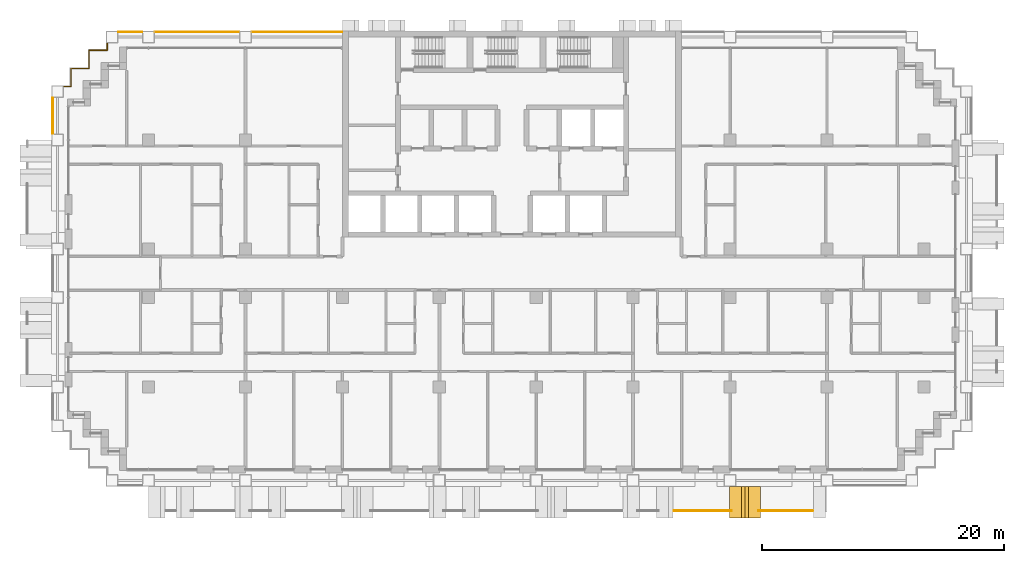
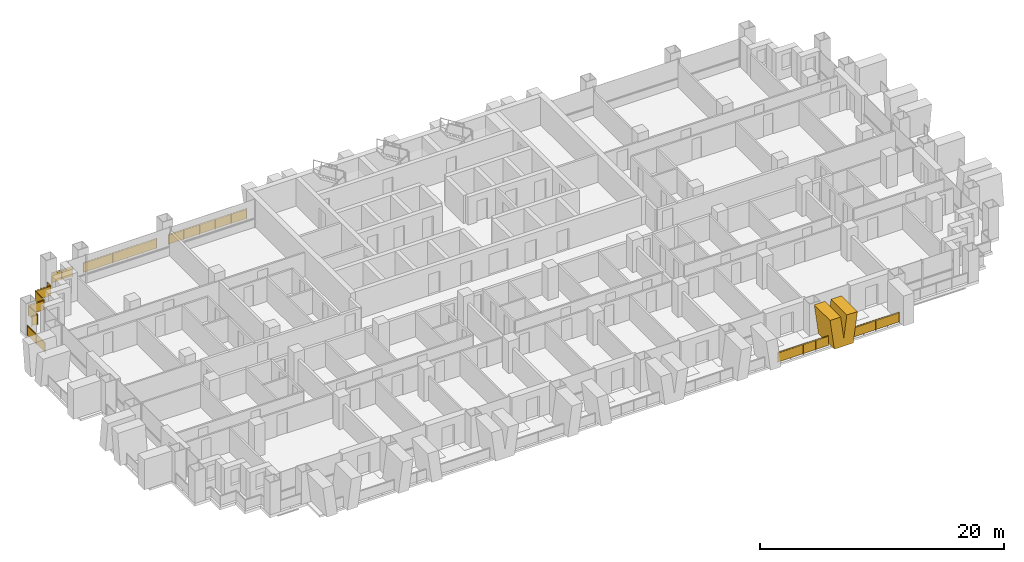
# One storey, part 17 of 19: 7 railings, 1 shading device.
"""IFC4 building model written with IfcOpenShell, lengths in metres."""

import ifcopenshell
import ifcopenshell.guid

model = None  # the IFC model being written
_history = None  # IfcOwnerHistory: only IFC2X3 demands one
_inside = {}  # id of a spatial element -> (the spatial element, [elements in it])
_under = {}  # id of a project, library or spatial element -> (it, [spatial elements below it])
_declared = {}  # id of a project -> (the project, [libraries it declares])
_typed = {}  # id of a type object -> (the type object, [elements of that type])
_made_of = {}  # id of a material, layer set ... -> (it, [elements and type objects made of it])


def new_model(schema):
    """Start an empty IFC model of exactly this schema.

    Asked for "IFC4X3", IfcOpenShell would pick the latest addendum, in which some entities
    have other attributes; the version numbers below select the first issue.
    IFC2X3 requires an IfcOwnerHistory on every rooted entity: one is made here for all.
    """
    global model, _history
    if schema == "IFC4X3":
        model = ifcopenshell.file(schema_version=(4, 3, 0, 0))
    else:
        model = ifcopenshell.file(schema=schema)
    _inside.clear()
    _under.clear()
    _declared.clear()
    _typed.clear()
    _made_of.clear()
    _history = None
    if model.schema == "IFC2X3":
        org = make("IfcOrganization", Name="unknown")
        user = make(
            "IfcPersonAndOrganization",
            ThePerson=make("IfcPerson", FamilyName="unknown"),
            TheOrganization=org,
        )
        app = make(
            "IfcApplication",
            ApplicationDeveloper=org,
            Version="unknown",
            ApplicationFullName="unknown",
            ApplicationIdentifier="unknown",
        )
        _history = make(
            "IfcOwnerHistory",
            OwningUser=user,
            OwningApplication=app,
            ChangeAction="ADDED",
            CreationDate=0,
        )
    return model


def make(cls, **values):
    """One entity of the class cls with the attributes given. An attribute that is None is left unset."""
    return model.create_entity(
        cls, **{name: value for name, value in values.items() if value is not None}
    )


def rooted(cls, **values):
    """An entity with a GlobalId (a new one), such as an element, a storey or a relation."""
    return make(cls, GlobalId=ifcopenshell.guid.new(), OwnerHistory=_history, **values)


def si_unit(unit_type, name, prefix=None):
    """IfcSIUnit, for example si_unit("LENGTHUNIT", "METRE", prefix="MILLI")."""
    return make("IfcSIUnit", UnitType=unit_type, Prefix=prefix, Name=name)


def assignment(units):
    """IfcUnitAssignment: the units of a project."""
    return None if units is None else make("IfcUnitAssignment", Units=units)


def point(xyz):
    """IfcCartesianPoint."""
    return None if xyz is None else make("IfcCartesianPoint", Coordinates=xyz)


def direction(xyz):
    """IfcDirection."""
    return None if xyz is None else make("IfcDirection", DirectionRatios=xyz)


def frame(location, z_axis=None, x_axis=None):
    """IfcAxis2Placement3D, a coordinate frame: its origin and axes. An axis left out is left unset."""
    return make(
        "IfcAxis2Placement3D",
        Location=point(location),
        Axis=direction(z_axis),
        RefDirection=direction(x_axis),
    )


def frame_2d(location, x_axis=None):
    """IfcAxis2Placement2D, a coordinate frame in the plane: its origin and x axis."""
    return make(
        "IfcAxis2Placement2D", Location=point(location), RefDirection=direction(x_axis)
    )


def origin():
    """The frame at (0, 0, 0) with its axes left unset."""
    return frame((0.0, 0.0, 0.0))


def origin_2d():
    """The frame at (0, 0) in the plane with its x axis left unset."""
    return frame_2d((0.0, 0.0))


def place(relative_to, where):
    """IfcLocalPlacement: puts the frame where relative to a parent placement (None: the world)."""
    return make(
        "IfcLocalPlacement", PlacementRelTo=relative_to, RelativePlacement=where
    )


def context(
    kind, dimensions, precision=None, world=None, true_north=None, identifier=None
):
    """IfcGeometricRepresentationContext, for example the 3D "Model" context."""
    return make(
        "IfcGeometricRepresentationContext",
        ContextIdentifier=identifier,
        ContextType=kind,
        CoordinateSpaceDimension=dimensions,
        Precision=precision,
        WorldCoordinateSystem=world,
        TrueNorth=true_north,
    )


def subcontext(parent, identifier, kind, view, scale=None):
    """IfcGeometricRepresentationSubContext, for example "Body" below "Model"."""
    return make(
        "IfcGeometricRepresentationSubContext",
        ContextIdentifier=identifier,
        ContextType=kind,
        ParentContext=parent,
        TargetScale=scale,
        TargetView=view,
    )


def project(units=None, contexts=None):
    """IfcProject with its units and contexts."""
    return rooted(
        "IfcProject",
        Name="project",
        RepresentationContexts=contexts,
        UnitsInContext=assignment(units),
    )


def spatial(cls, under=None, at=None, **own):
    """A site, building, storey or space (cls), placed at a placement, below another one or the project."""
    s = rooted(cls, ObjectPlacement=at, **own)
    if under is not None:
        _under.setdefault(under.id(), (under, []))[1].append(s)
    return s


def polyline(points):
    """IfcPolyline through the points."""
    return make("IfcPolyline", Points=[point(p) for p in points])


def profile(cls, at=None, kind="AREA", **sizes):
    """A parametric profile (cls). Its sizes go by their IFC names, for example OverallWidth=200.0."""
    return make(cls, ProfileType=kind, Position=at, **sizes)


def rectangle(**sizes):
    """IfcRectangleProfileDef."""
    return profile("IfcRectangleProfileDef", **sizes)


def circle(**sizes):
    """IfcCircleProfileDef."""
    return profile("IfcCircleProfileDef", **sizes)


def outline(outer, holes=None, kind="AREA"):
    """IfcArbitraryClosedProfileDef: a profile drawn as a closed curve; with holes, ...WithVoids."""
    if holes is None:
        return make("IfcArbitraryClosedProfileDef", ProfileType=kind, OuterCurve=outer)
    return make(
        "IfcArbitraryProfileDefWithVoids",
        ProfileType=kind,
        OuterCurve=outer,
        InnerCurves=holes,
    )


def extrude(swept, where, along, depth):
    """IfcExtrudedAreaSolid: the profile swept, set in the frame where, extruded along a direction by depth."""
    return make(
        "IfcExtrudedAreaSolid",
        SweptArea=swept,
        Position=where,
        ExtrudedDirection=direction(along),
        Depth=depth,
    )


def shape(context_of_items, identifier, shape_type, items):
    """IfcShapeRepresentation: the items that make up one representation, for example the "Body"."""
    return make(
        "IfcShapeRepresentation",
        ContextOfItems=context_of_items,
        RepresentationIdentifier=identifier,
        RepresentationType=shape_type,
        Items=items,
    )


def material(Name=None, Category=None):
    """IfcMaterial."""
    return make("IfcMaterial", Name=Name, Category=Category)


def layer(
    of_material, thickness, ventilated=None, Name=None, Category=None, Priority=None
):
    """IfcMaterialLayer: one layer of a wall or slab, of a material (None: an air gap)."""
    return make(
        "IfcMaterialLayer",
        Material=of_material,
        LayerThickness=thickness,
        IsVentilated=ventilated,
        Name=Name,
        Category=Category,
        Priority=Priority,
    )


def layer_set(layers, Name=None):
    """IfcMaterialLayerSet."""
    return make("IfcMaterialLayerSet", MaterialLayers=layers, LayerSetName=Name)


def made_of(thing, what):
    """Note that an element or type object is made of a material, layer set ...; save() writes the relation."""
    if what is not None:
        _made_of.setdefault(what.id(), (what, []))[1].append(thing)
    return thing


def type_object(cls, material=None, **own):
    """A type object (cls), such as IfcWallType, which elements share."""
    return made_of(rooted(cls, **own), material)


def element(
    cls,
    number,
    at=None,
    inside=None,
    cuts=None,
    type_object=None,
    material=None,
    context=None,
    identifier="Body",
    shape_type=None,
    held_by="IfcProductDefinitionShape",
    body=None,
    shapes=None,
    **own,
):
    """One element of the class cls, such as IfcWall. Its Tag is "e" and its number.

    at: its placement. inside: the storey or other place that contains it. cuts: it is an
    opening in that element (IfcRelVoidsElement). A single representation is given by context,
    identifier, shape_type and body (its items); several are given by shapes. held_by: the class
    of the entity that holds the representations. save() writes the other relations.
    """
    e = rooted(cls, Tag="e%d" % number, ObjectPlacement=at, **own)
    if body is not None:
        shapes = [shape(context, identifier, shape_type, body)]
    if shapes is not None:
        e.Representation = make(held_by, Representations=shapes)
    if inside is not None:
        _inside.setdefault(inside.id(), (inside, []))[1].append(e)
    if cuts is not None:
        rooted(
            "IfcRelVoidsElement", RelatingBuildingElement=cuts, RelatedOpeningElement=e
        )
    if type_object is not None:
        _typed.setdefault(type_object.id(), (type_object, []))[1].append(e)
    return made_of(e, material)


def aggregate(whole, parts):
    """IfcRelAggregates: a whole, such as a stair, and the parts it consists of."""
    return rooted("IfcRelAggregates", RelatingObject=whole, RelatedObjects=parts)


def save(model, path):
    """Write the relations noted so far, then the file.

    IfcRelAggregates (storeys below a building ...), IfcRelContainedInSpatialStructure (elements
    in a storey), IfcRelDefinesByType, IfcRelAssociatesMaterial and IfcRelDeclares: one each for
    every whole, place, type object, material and project.
    """
    for whole, parts in _under.values():
        aggregate(whole, parts)
    for where, things in _inside.values():
        rooted(
            "IfcRelContainedInSpatialStructure",
            RelatedElements=things,
            RelatingStructure=where,
        )
    for kind, things in _typed.values():
        rooted("IfcRelDefinesByType", RelatedObjects=things, RelatingType=kind)
    for what, things in _made_of.values():
        rooted("IfcRelAssociatesMaterial", RelatedObjects=things, RelatingMaterial=what)
    for by, libraries in _declared.values():
        rooted("IfcRelDeclares", RelatingContext=by, RelatedDefinitions=libraries)
    model.write(path)


model = new_model("IFC4")

# Units and contexts
model_context = context("Model", 3, precision=1e-05, world=origin(), true_north=direction((0.0, 1.0)))
body_context = subcontext(model_context, "Body", "Model", "MODEL_VIEW")
ifc_project = project(units=[si_unit("LENGTHUNIT", "METRE"), si_unit("AREAUNIT", "SQUARE_METRE"), si_unit("VOLUMEUNIT", "CUBIC_METRE"), si_unit("PLANEANGLEUNIT", "RADIAN"), si_unit("MASSUNIT", "GRAM", prefix="KILO")], contexts=[model_context])

# Site, building, storey
site_placement = place(None, origin())
site = spatial("IfcSite", under=ifc_project, at=site_placement, CompositionType="ELEMENT")
building_placement = place(site_placement, origin())
building = spatial("IfcBuilding", under=site, at=building_placement, Name="Vidyagriha Tower", CompositionType="ELEMENT")
storey_placement = place(building_placement, frame((0.0, 0.0, 60.800048828125)))
storey = spatial("IfcBuildingStorey", under=building, at=storey_placement, Name="L16", CompositionType="ELEMENT", Elevation=60.800048828125)

# Railings
ifc_material_1 = material(Name="Steel ASTM A500 Grade C black painted", Category="steel")
railing_type_1 = type_object("IfcRailingType", Name="Balcony guard 1100", PredefinedType="BALUSTRADE", material=ifc_material_1)
railing_1_placement = place(storey_placement, frame((13.35498046875, -19.60009765625, 0.0)))
element("IfcRailing", 1, at=railing_1_placement, inside=storey, type_object=railing_type_1, Name="Balcony guard L16 R23.1-10", PredefinedType="BALUSTRADE", context=body_context, shape_type="SweptSolid", body=[
    extrude(circle(Radius=0.02490234375, at=origin_2d()), frame((0.0, 0.0, 1.0751953125), z_axis=(1.0, 0.0, 0.0), x_axis=(0.0, 1.0, 0.0)), (0.0, 0.0, 1.0), 4.773681640625),
    extrude(circle(Radius=0.02001953125, at=origin_2d()), origin(), (0.0, 0.0, 1.0), 1.050048828125),
    extrude(circle(Radius=0.02001953125, at=origin_2d()), frame((1.193359375, 0.0, 0.0)), (0.0, 0.0, 1.0), 1.050048828125),
    extrude(circle(Radius=0.02001953125, at=origin_2d()), frame((2.38671875, 0.0, 0.0)), (0.0, 0.0, 1.0), 1.050048828125),
    extrude(circle(Radius=0.02001953125, at=origin_2d()), frame((3.580322265625, 0.0, 0.0)), (0.0, 0.0, 1.0), 1.050048828125),
    extrude(circle(Radius=0.02001953125, at=origin_2d()), frame((4.773681640625, 0.0, 0.0)), (0.0, 0.0, 1.0), 1.050048828125),
    extrude(rectangle(XDim=0.010009765625, YDim=0.900146484375, at=origin_2d()), frame((0.0, 0.0, 0.550048828125), z_axis=(1.0, 0.0, 0.0), x_axis=(0.0, 1.0, 0.0)), (0.0, 0.0, 1.0), 4.773681640625),
])
railing_2_placement = place(storey_placement, frame((20.321533203125, -19.60009765625, 0.0)))
element("IfcRailing", 2, at=railing_2_placement, inside=storey, type_object=railing_type_1, Name="Balcony guard L16 R23.1-11", PredefinedType="BALUSTRADE", context=body_context, shape_type="SweptSolid", body=[
    extrude(circle(Radius=0.02490234375, at=origin_2d()), frame((0.0, 0.0, 1.0751953125), z_axis=(1.0, 0.0, 0.0), x_axis=(0.0, 1.0, 0.0)), (0.0, 0.0, 1.0), 4.50341796875),
    extrude(circle(Radius=0.02001953125, at=origin_2d()), origin(), (0.0, 0.0, 1.0), 1.050048828125),
    extrude(circle(Radius=0.02001953125, at=origin_2d()), frame((1.1259765625, 0.0, 0.0)), (0.0, 0.0, 1.0), 1.050048828125),
    extrude(circle(Radius=0.02001953125, at=origin_2d()), frame((2.251708984375, 0.0, 0.0)), (0.0, 0.0, 1.0), 1.050048828125),
    extrude(circle(Radius=0.02001953125, at=origin_2d()), frame((3.37744140625, 0.0, 0.0)), (0.0, 0.0, 1.0), 1.050048828125),
    extrude(circle(Radius=0.02001953125, at=origin_2d()), frame((4.50341796875, 0.0, 0.0)), (0.0, 0.0, 1.0), 1.050048828125),
    extrude(rectangle(XDim=0.010009765625, YDim=0.900146484375, at=origin_2d()), frame((0.0, 0.0, 0.550048828125), z_axis=(1.0, 0.0, 0.0), x_axis=(0.0, 1.0, 0.0)), (0.0, 0.0, 1.0), 4.50341796875),
])

# Shading device
ifc_material_2 = material(Name="Precast concrete C40/50 with buff brick facing", Category="concrete")
ifc_layer = layer(ifc_material_2, 1.0)
ifc_layer_set = layer_set([ifc_layer], Name="Precast concrete C40/50 with buff brick facing")
shading_device_type = type_object("IfcShadingDeviceType", Name="Brick-faced blade fin forking 8 degrees", PredefinedType="USERDEFINED", material=ifc_layer_set)
shading_device_placement = place(storey_placement, frame((17.93505859375, -18.89990234375, 0.0)))
element("IfcShadingDevice", 3, at=shading_device_placement, inside=storey, type_object=shading_device_type, Name="Forked blade fin L16 R23.4980a", ObjectType="BLADE FIN", PredefinedType="USERDEFINED", context=body_context, shape_type="SweptSolid", body=[
    extrude(outline(polyline([(0.39501953125, 0.0), (2.18505859375, 0.0), (2.580078125, 3.0), (1.580078125, 3.0), (1.2900390625, 0.79736328125), (1.0, 3.0), (0.0, 3.0), (0.39501953125, 0.0)])), frame((0.0, 1.300048828125, 0.0), z_axis=(0.0, -1.0, 0.0), x_axis=(1.0, 0.0, 0.0)), (0.0, 0.0, 1.0), 2.60009765625),
])

# Railings
ifc_material_3 = material(Name="Steel ASTM A500 Grade C black painted", Category="steel")
railing_type_2 = type_object("IfcRailingType", Name="Gallery guard 1100", PredefinedType="GUARDRAIL", material=ifc_material_3)
railing_3_placement = place(storey_placement, frame((-37.89990234375, 11.530029296875, 0.0)))
element("IfcRailing", 4, at=railing_3_placement, inside=storey, type_object=railing_type_2, Name="Gallery guard L16 3", PredefinedType="GUARDRAIL", context=body_context, shape_type="SweptSolid", body=[
    extrude(circle(Radius=0.02490234375, at=origin_2d()), frame((0.0, 0.0, 1.0751953125), z_axis=(0.0, 1.0, 0.0), x_axis=(-1.0, 0.0, 0.0)), (0.0, 0.0, 1.0), 2.93994140625),
    extrude(circle(Radius=0.02001953125, at=origin_2d()), origin(), (0.0, 0.0, 1.0), 1.050048828125),
    extrude(circle(Radius=0.02001953125, at=origin_2d()), frame((0.0, 1.469970703125, 0.0)), (0.0, 0.0, 1.0), 1.050048828125),
    extrude(circle(Radius=0.02001953125, at=origin_2d()), frame((0.0, 2.93994140625, 0.0)), (0.0, 0.0, 1.0), 1.050048828125),
    extrude(rectangle(XDim=0.010009765625, YDim=0.900146484375, at=origin_2d()), frame((0.0, 0.0, 0.550048828125), z_axis=(0.0, 1.0, 0.0), x_axis=(-1.0, 0.0, 0.0)), (0.0, 0.0, 1.0), 2.93994140625),
])
railing_4_placement = place(storey_placement, frame((-36.969970703125, 15.39990234375, 0.0)))
element("IfcRailing", 5, at=railing_4_placement, inside=storey, type_object=railing_type_2, Name="Gallery guard L16 5", PredefinedType="GUARDRAIL", context=body_context, shape_type="SweptSolid", body=[
    extrude(circle(Radius=0.02490234375, at=origin_2d()), frame((0.0, 0.0, 1.0751953125), z_axis=(1.0, 0.0, 0.0), x_axis=(0.0, 1.0, 0.0)), (0.0, 0.0, 1.0), 0.570068359375),
    extrude(circle(Radius=0.02490234375, at=origin_2d()), frame((0.570068359375, 0.0, 1.0751953125), z_axis=(0.0, 1.0, 0.0), x_axis=(-1.0, 0.0, 0.0)), (0.0, 0.0, 1.0), 1.5),
    extrude(circle(Radius=0.02490234375, at=origin_2d()), frame((0.570068359375, 1.5, 1.0751953125), z_axis=(1.0, 0.0, 0.0), x_axis=(0.0, 1.0, 0.0)), (0.0, 0.0, 1.0), 1.5),
    extrude(circle(Radius=0.02490234375, at=origin_2d()), frame((2.070068359375, 1.5, 1.0751953125), z_axis=(0.0, 1.0, 0.0), x_axis=(-1.0, 0.0, 0.0)), (0.0, 0.0, 1.0), 1.5),
    extrude(circle(Radius=0.02490234375, at=origin_2d()), frame((2.070068359375, 3.0, 1.0751953125), z_axis=(1.0, 0.0, 0.0), x_axis=(0.0, 1.0, 0.0)), (0.0, 0.0, 1.0), 1.5),
    extrude(circle(Radius=0.02490234375, at=origin_2d()), frame((3.570068359375, 3.0, 1.0751953125), z_axis=(0.0, 1.0, 0.0), x_axis=(-1.0, 0.0, 0.0)), (0.0, 0.0, 1.0), 0.570068359375),
    extrude(circle(Radius=0.02001953125, at=origin_2d()), origin(), (0.0, 0.0, 1.0), 1.050048828125),
    extrude(circle(Radius=0.02001953125, at=origin_2d()), frame((0.570068359375, 0.0, 0.0)), (0.0, 0.0, 1.0), 1.050048828125),
    extrude(circle(Radius=0.02001953125, at=origin_2d()), frame((0.570068359375, 1.5, 0.0)), (0.0, 0.0, 1.0), 1.050048828125),
    extrude(circle(Radius=0.02001953125, at=origin_2d()), frame((2.070068359375, 1.5, 0.0)), (0.0, 0.0, 1.0), 1.050048828125),
    extrude(circle(Radius=0.02001953125, at=origin_2d()), frame((2.070068359375, 3.0, 0.0)), (0.0, 0.0, 1.0), 1.050048828125),
    extrude(circle(Radius=0.02001953125, at=origin_2d()), frame((3.570068359375, 3.0, 0.0)), (0.0, 0.0, 1.0), 1.050048828125),
    extrude(circle(Radius=0.02001953125, at=origin_2d()), frame((3.570068359375, 3.570068359375, 0.0)), (0.0, 0.0, 1.0), 1.050048828125),
    extrude(rectangle(XDim=0.010009765625, YDim=0.900146484375, at=origin_2d()), frame((0.0, 0.0, 0.550048828125), z_axis=(1.0, 0.0, 0.0), x_axis=(0.0, 1.0, 0.0)), (0.0, 0.0, 1.0), 0.570068359375),
    extrude(rectangle(XDim=0.010009765625, YDim=0.900146484375, at=origin_2d()), frame((0.570068359375, 0.0, 0.550048828125), z_axis=(0.0, 1.0, 0.0), x_axis=(-1.0, 0.0, 0.0)), (0.0, 0.0, 1.0), 1.5),
    extrude(rectangle(XDim=0.010009765625, YDim=0.900146484375, at=origin_2d()), frame((0.570068359375, 1.5, 0.550048828125), z_axis=(1.0, 0.0, 0.0), x_axis=(0.0, 1.0, 0.0)), (0.0, 0.0, 1.0), 1.5),
    extrude(rectangle(XDim=0.010009765625, YDim=0.900146484375, at=origin_2d()), frame((2.070068359375, 1.5, 0.550048828125), z_axis=(0.0, 1.0, 0.0), x_axis=(-1.0, 0.0, 0.0)), (0.0, 0.0, 1.0), 1.5),
    extrude(rectangle(XDim=0.010009765625, YDim=0.900146484375, at=origin_2d()), frame((2.070068359375, 3.0, 0.550048828125), z_axis=(1.0, 0.0, 0.0), x_axis=(0.0, 1.0, 0.0)), (0.0, 0.0, 1.0), 1.5),
    extrude(rectangle(XDim=0.010009765625, YDim=0.900146484375, at=origin_2d()), frame((3.570068359375, 3.0, 0.550048828125), z_axis=(0.0, 1.0, 0.0), x_axis=(-1.0, 0.0, 0.0)), (0.0, 0.0, 1.0), 0.570068359375),
])
railing_5_placement = place(storey_placement, frame((-32.469970703125, 19.89990234375, 0.0)))
element("IfcRailing", 6, at=railing_5_placement, inside=storey, type_object=railing_type_2, Name="Gallery guard L16 7", PredefinedType="GUARDRAIL", context=body_context, shape_type="SweptSolid", body=[
    extrude(circle(Radius=0.02490234375, at=origin_2d()), frame((0.0, 0.0, 1.0751953125), z_axis=(1.0, 0.0, 0.0), x_axis=(0.0, 1.0, 0.0)), (0.0, 0.0, 1.0), 1.93994140625),
    extrude(circle(Radius=0.02001953125, at=origin_2d()), origin(), (0.0, 0.0, 1.0), 1.050048828125),
    extrude(circle(Radius=0.02001953125, at=origin_2d()), frame((0.969970703125, 0.0, 0.0)), (0.0, 0.0, 1.0), 1.050048828125),
    extrude(circle(Radius=0.02001953125, at=origin_2d()), frame((1.93994140625, 0.0, 0.0)), (0.0, 0.0, 1.0), 1.050048828125),
    extrude(rectangle(XDim=0.010009765625, YDim=0.900146484375, at=origin_2d()), frame((0.0, 0.0, 0.550048828125), z_axis=(1.0, 0.0, 0.0), x_axis=(0.0, 1.0, 0.0)), (0.0, 0.0, 1.0), 1.93994140625),
])
railing_6_placement = place(storey_placement, frame((-29.469970703125, 19.89990234375, 0.0)))
element("IfcRailing", 7, at=railing_6_placement, inside=storey, type_object=railing_type_2, Name="Gallery guard L16 8", PredefinedType="GUARDRAIL", context=body_context, shape_type="SweptSolid", body=[
    extrude(circle(Radius=0.02490234375, at=origin_2d()), frame((0.0, 0.0, 1.0751953125), z_axis=(1.0, 0.0, 0.0), x_axis=(0.0, 1.0, 0.0)), (0.0, 0.0, 1.0), 6.93994140625),
    extrude(circle(Radius=0.02001953125, at=origin_2d()), origin(), (0.0, 0.0, 1.0), 1.050048828125),
    extrude(circle(Radius=0.02001953125, at=origin_2d()), frame((1.387939453125, 0.0, 0.0)), (0.0, 0.0, 1.0), 1.050048828125),
    extrude(circle(Radius=0.02001953125, at=origin_2d()), frame((2.77587890625, 0.0, 0.0)), (0.0, 0.0, 1.0), 1.050048828125),
    extrude(circle(Radius=0.02001953125, at=origin_2d()), frame((4.1640625, 0.0, 0.0)), (0.0, 0.0, 1.0), 1.050048828125),
    extrude(circle(Radius=0.02001953125, at=origin_2d()), frame((5.552001953125, 0.0, 0.0)), (0.0, 0.0, 1.0), 1.050048828125),
    extrude(circle(Radius=0.02001953125, at=origin_2d()), frame((6.93994140625, 0.0, 0.0)), (0.0, 0.0, 1.0), 1.050048828125),
    extrude(rectangle(XDim=0.010009765625, YDim=0.900146484375, at=origin_2d()), frame((0.0, 0.0, 0.550048828125), z_axis=(1.0, 0.0, 0.0), x_axis=(0.0, 1.0, 0.0)), (0.0, 0.0, 1.0), 6.93994140625),
])
railing_7_placement = place(storey_placement, frame((-21.469970703125, 19.89990234375, 0.0)))
element("IfcRailing", 8, at=railing_7_placement, inside=storey, type_object=railing_type_2, Name="Gallery guard L16 9", PredefinedType="GUARDRAIL", context=body_context, shape_type="SweptSolid", body=[
    extrude(circle(Radius=0.02490234375, at=origin_2d()), frame((0.0, 0.0, 1.0751953125), z_axis=(1.0, 0.0, 0.0), x_axis=(0.0, 1.0, 0.0)), (0.0, 0.0, 1.0), 7.43994140625),
    extrude(circle(Radius=0.02001953125, at=origin_2d()), origin(), (0.0, 0.0, 1.0), 1.050048828125),
    extrude(circle(Radius=0.02001953125, at=origin_2d()), frame((1.488037109375, 0.0, 0.0)), (0.0, 0.0, 1.0), 1.050048828125),
    extrude(circle(Radius=0.02001953125, at=origin_2d()), frame((2.97607421875, 0.0, 0.0)), (0.0, 0.0, 1.0), 1.050048828125),
    extrude(circle(Radius=0.02001953125, at=origin_2d()), frame((4.4638671875, 0.0, 0.0)), (0.0, 0.0, 1.0), 1.050048828125),
    extrude(circle(Radius=0.02001953125, at=origin_2d()), frame((5.951904296875, 0.0, 0.0)), (0.0, 0.0, 1.0), 1.050048828125),
    extrude(circle(Radius=0.02001953125, at=origin_2d()), frame((7.43994140625, 0.0, 0.0)), (0.0, 0.0, 1.0), 1.050048828125),
    extrude(rectangle(XDim=0.010009765625, YDim=0.900146484375, at=origin_2d()), frame((0.0, 0.0, 0.550048828125), z_axis=(1.0, 0.0, 0.0), x_axis=(0.0, 1.0, 0.0)), (0.0, 0.0, 1.0), 7.43994140625),
])

save(model, "model.ifc")
